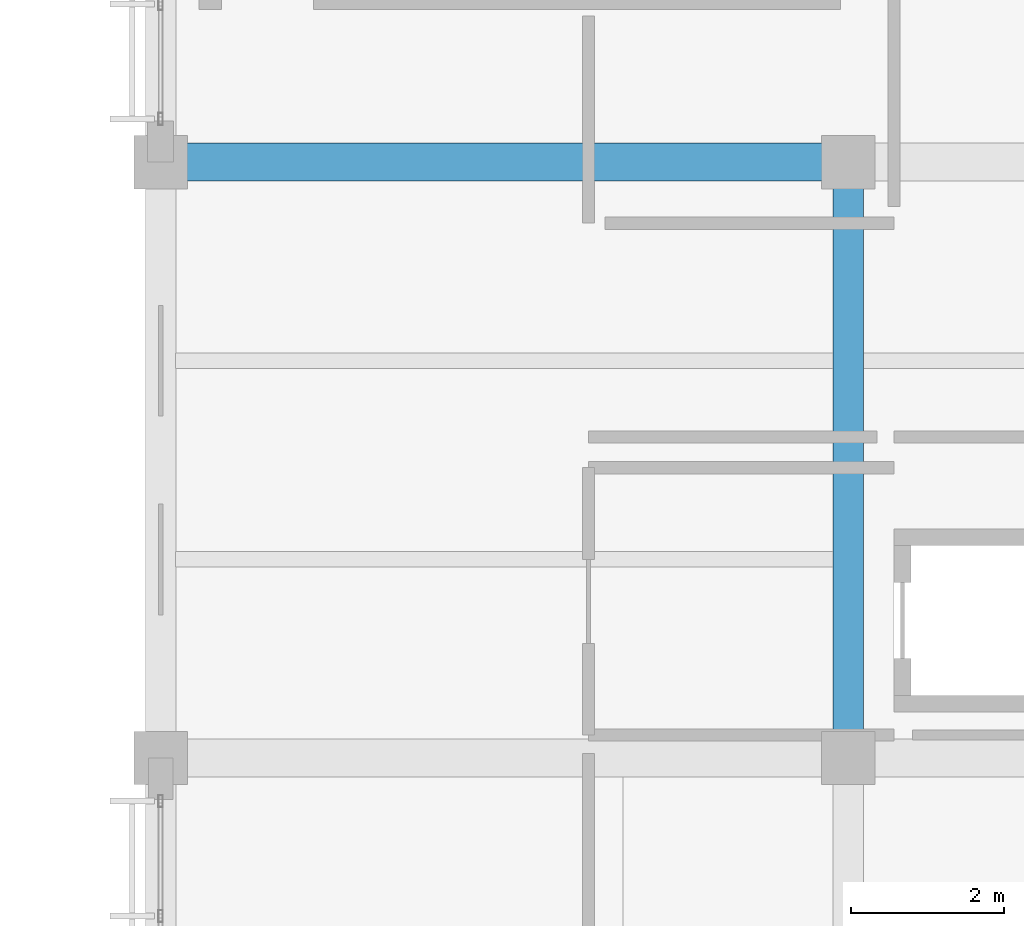
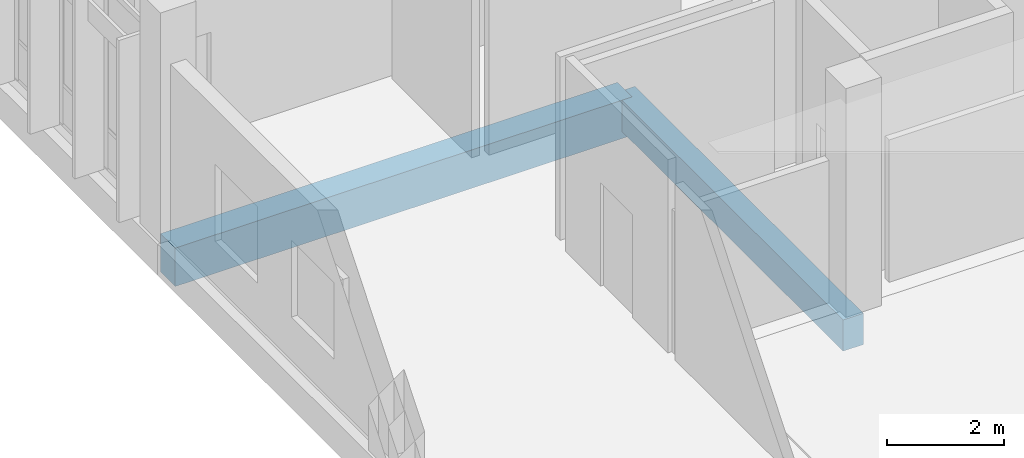
# One storey, part 92 of 177: 2 beams.
"""IFC4 building model written with IfcOpenShell, lengths in metres."""

from ifc_helpers import new_model, si_unit, direction, frame, origin, origin_2d, place, context, subcontext, project, spatial, rectangle, extrude, material, material_profile, profile_set, type_object, element, save


model = new_model("IFC4")

# Units and contexts
model_context = context("Model", 3, precision=1e-05, world=origin(), true_north=direction((0.0, 1.0)))
body_context = subcontext(model_context, "Body", "Model", "MODEL_VIEW")
ifc_project = project(units=[si_unit("LENGTHUNIT", "METRE"), si_unit("AREAUNIT", "SQUARE_METRE"), si_unit("VOLUMEUNIT", "CUBIC_METRE"), si_unit("PLANEANGLEUNIT", "RADIAN"), si_unit("MASSUNIT", "GRAM", prefix="KILO")], contexts=[model_context])

# Site, building, storey
site_placement = place(None, origin())
site = spatial("IfcSite", under=ifc_project, at=site_placement, CompositionType="ELEMENT")
building_placement = place(site_placement, origin())
building = spatial("IfcBuilding", under=site, at=building_placement, Name="Chiffa Square Polytechnic", CompositionType="ELEMENT")
storey_placement = place(building_placement, frame((0.0, 0.0, 4.800048828125)))
storey = spatial("IfcBuildingStorey", under=building, at=storey_placement, Name="L01", CompositionType="ELEMENT", Elevation=4.800048828125)

# Beams
ifc_material_1 = material(Name="Concrete C35/45", Category="concrete")
ifc_material_profile_1 = material_profile(ifc_material_1, rectangle(XDim=0.39990234375, YDim=0.64990234375, at=origin_2d()), Name="RC 400x650")
ifc_profile_set_1 = profile_set([ifc_material_profile_1], Name="Concrete C35/45")
beam_type_1 = type_object("IfcBeamType", Name="BM-RC-400X650", PredefinedType="BEAM", material=ifc_profile_set_1)
beam_1_placement = place(storey_placement, frame((157.199951171875, 36.0, -0.60498046875), z_axis=(0.0, 1.0, 0.0), x_axis=(-1.0, 0.0, 0.0)))
element("IfcBeam", 1, at=beam_1_placement, inside=storey, type_object=beam_type_1, Name="Primary floor girder BM-V1-L01-Y-1572-0360", PredefinedType="BEAM", context=body_context, shape_type="SweptSolid", body=[
    extrude(rectangle(XDim=0.39990234375, YDim=0.64990234375, at=origin_2d()), origin(), (0.0, 0.0, 1.0), 7.800048828125),
])
ifc_material_2 = material(Name="Concrete C40/50", Category="concrete")
ifc_material_profile_2 = material_profile(ifc_material_2, rectangle(XDim=0.5, YDim=0.800048828125, at=origin_2d()), Name="RC 500x800")
ifc_profile_set_2 = profile_set([ifc_material_profile_2], Name="Concrete C40/50")
beam_type_2 = type_object("IfcBeamType", Name="BM-RC-500X800", PredefinedType="BEAM", material=ifc_profile_set_2)
beam_2_placement = place(storey_placement, frame((148.199951171875, 43.800048828125, -0.679931640625), z_axis=(1.0, 0.0, 0.0), x_axis=(0.0, 1.0, 0.0)))
element("IfcBeam", 2, at=beam_2_placement, inside=storey, type_object=beam_type_2, Name="Primary floor girder BM-V1-L01-X-1482-0438", PredefinedType="BEAM", context=body_context, shape_type="SweptSolid", body=[
    extrude(rectangle(XDim=0.5, YDim=0.800048828125, at=origin_2d()), origin(), (0.0, 0.0, 1.0), 9.0),
])

save(model, "model.ifc")
